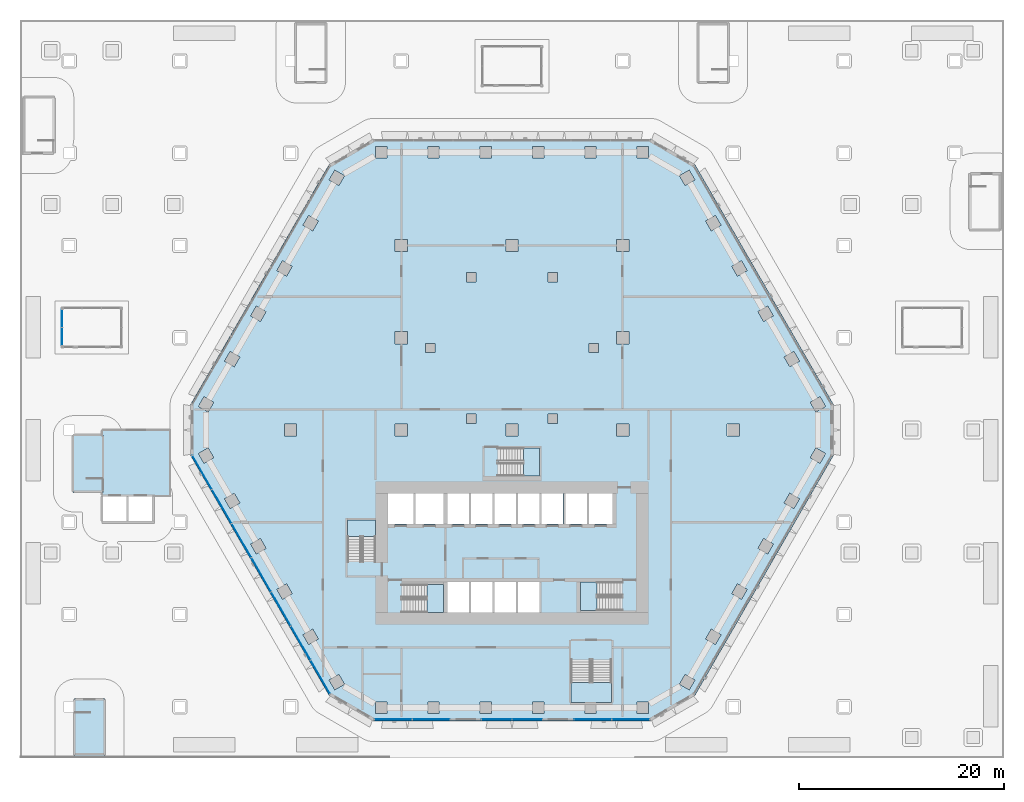
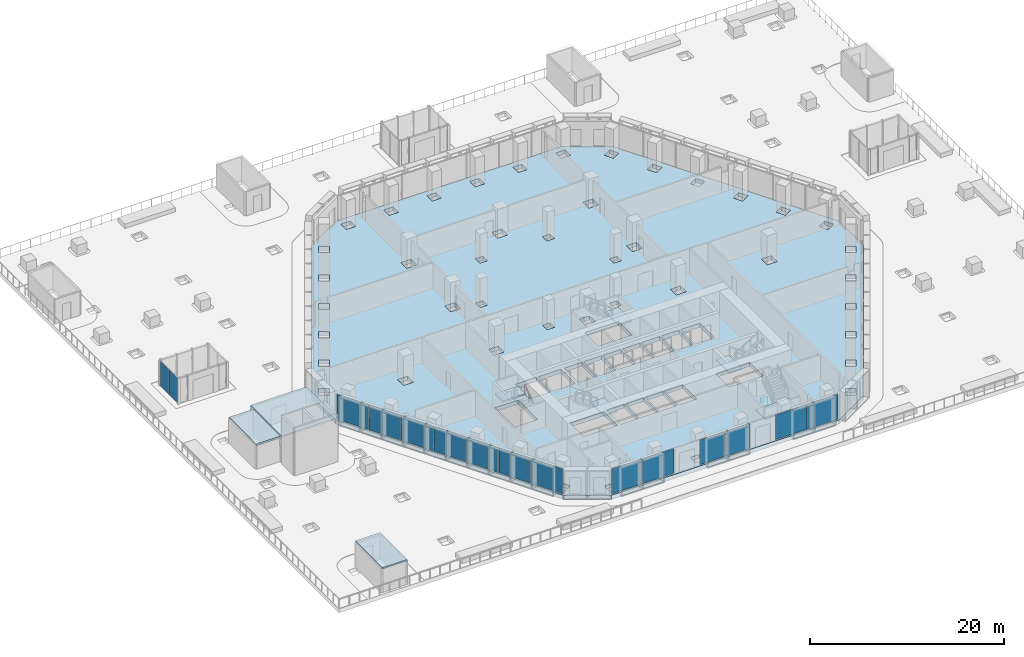
# One storey, part 16 of 38: 15 plates, 9 slabs, 10 elements without a shape of their own.
"""IFC4 building model written with IfcOpenShell, lengths in metres."""

from ifc_helpers import new_model, si_unit, direction, frame, origin, origin_2d, place, context, subcontext, project, spatial, polyline, rectangle, outline, extrude, material, layer, layer_set, type_object, element, aggregate, save


model = new_model("IFC4")

# Units and contexts
model_context = context("Model", 3, precision=1e-05, world=origin(), true_north=direction((0.0, 1.0)))
body_context = subcontext(model_context, "Body", "Model", "MODEL_VIEW")
ifc_project = project(units=[si_unit("LENGTHUNIT", "METRE"), si_unit("AREAUNIT", "SQUARE_METRE"), si_unit("VOLUMEUNIT", "CUBIC_METRE"), si_unit("PLANEANGLEUNIT", "RADIAN"), si_unit("MASSUNIT", "GRAM", prefix="KILO")], contexts=[model_context])

# Site, building, storey
site_placement = place(None, origin())
site = spatial("IfcSite", under=ifc_project, at=site_placement, CompositionType="ELEMENT")
building_placement = place(site_placement, origin())
building = spatial("IfcBuilding", under=site, at=building_placement, Name="Beryl Residences", CompositionType="ELEMENT")
storey_placement = place(building_placement, frame((0.0, 0.0, 9.0)))
storey = spatial("IfcBuildingStorey", under=building, at=storey_placement, Name="L02", CompositionType="ELEMENT", Elevation=9.0)

# Curtain wall, plates
ifc_material_1 = material(Name="Aluminium and clear glass", Category="aluminium")
curtain_wall_type_1 = type_object("IfcCurtainWallType", Name="CW2 amenity glazing glazed wall", PredefinedType="NOTDEFINED", material=ifc_material_1)
curtain_wall_1_placement = place(storey_placement, origin())
curtain_wall_1 = element("IfcCurtainWall", 1, at=curtain_wall_1_placement, inside=storey, type_object=curtain_wall_type_1, Name="CW2 L02 SW", PredefinedType="NOTDEFINED")
ifc_material_2 = material(Name="Clear laminated glass", Category="glass")
ifc_layer_1 = layer(ifc_material_2, 0.028076171875)
ifc_layer_set_1 = layer_set([ifc_layer_1], Name="CW2-P glazing panel 28 mm")
plate_type_1 = type_object("IfcPlateType", Name="CW2-P glazing panel 28 mm", PredefinedType="CURTAIN_PANEL", material=ifc_layer_set_1)
plate_1_placement = place(storey_placement, frame((-30.23046875, -4.139404296875, 0.06005859375), z_axis=(0.0, 0.0, 1.0), x_axis=(0.500011643322, -0.866018681405, 0.0)))
plate_1 = element("IfcPlate", 2, at=plate_1_placement, type_object=plate_type_1, Name="CW2 panel 1.1", PredefinedType="CURTAIN_PANEL", context=body_context, shape_type="SweptSolid", body=[
    extrude(rectangle(XDim=3.758544921875, YDim=0.028076171875, at=origin_2d()), origin(), (0.0, 0.0, 1.0), 3.1298828125),
])
plate_2_placement = place(storey_placement, frame((-28.3134765625, -7.459228515625, 0.06005859375), z_axis=(0.0, 0.0, 1.0), x_axis=(0.500011643322, -0.866018681405, 0.0)))
plate_2 = element("IfcPlate", 3, at=plate_2_placement, type_object=plate_type_1, Name="CW2 panel 2.1", PredefinedType="CURTAIN_PANEL", context=body_context, shape_type="SweptSolid", body=[
    extrude(rectangle(XDim=3.78857421875, YDim=0.028076171875, at=origin_2d()), origin(), (0.0, 0.0, 1.0), 3.1298828125),
])
plate_3_placement = place(storey_placement, frame((-26.389404296875, -10.792236328125, 0.06005859375), z_axis=(0.0, 0.0, 1.0), x_axis=(0.500011643322, -0.866018681405, 0.0)))
plate_3 = element("IfcPlate", 4, at=plate_3_placement, type_object=plate_type_1, Name="CW2 panel 3.1", PredefinedType="CURTAIN_PANEL", context=body_context, shape_type="SweptSolid", body=[
    extrude(rectangle(XDim=3.78857421875, YDim=0.028076171875, at=origin_2d()), origin(), (0.0, 0.0, 1.0), 3.1298828125),
])
plate_4_placement = place(storey_placement, frame((-24.465087890625, -14.125, 0.06005859375), z_axis=(0.0, 0.0, 1.0), x_axis=(0.500011643322, -0.866018681405, 0.0)))
plate_4 = element("IfcPlate", 5, at=plate_4_placement, type_object=plate_type_1, Name="CW2 panel 4.1", PredefinedType="CURTAIN_PANEL", context=body_context, shape_type="SweptSolid", body=[
    extrude(rectangle(XDim=3.78857421875, YDim=0.028076171875, at=origin_2d()), origin(), (0.0, 0.0, 1.0), 3.1298828125),
])
plate_5_placement = place(storey_placement, frame((-22.540771484375, -17.457763671875, 0.06005859375), z_axis=(0.0, 0.0, 1.0), x_axis=(0.500011643322, -0.866018681405, 0.0)))
plate_5 = element("IfcPlate", 6, at=plate_5_placement, type_object=plate_type_1, Name="CW2 panel 5.1", PredefinedType="CURTAIN_PANEL", context=body_context, shape_type="SweptSolid", body=[
    extrude(rectangle(XDim=3.78857421875, YDim=0.028076171875, at=origin_2d()), origin(), (0.0, 0.0, 1.0), 3.1298828125),
])
plate_6_placement = place(storey_placement, frame((-20.616455078125, -20.790771484375, 0.06005859375), z_axis=(0.0, 0.0, 1.0), x_axis=(0.500011643322, -0.866018681405, 0.0)))
plate_6 = element("IfcPlate", 7, at=plate_6_placement, type_object=plate_type_1, Name="CW2 panel 6.1", PredefinedType="CURTAIN_PANEL", context=body_context, shape_type="SweptSolid", body=[
    extrude(rectangle(XDim=3.78857421875, YDim=0.028076171875, at=origin_2d()), origin(), (0.0, 0.0, 1.0), 3.1298828125),
])
plate_7_placement = place(storey_placement, frame((-18.69970703125, -24.110595703125, 0.06005859375), z_axis=(0.0, 0.0, 1.0), x_axis=(0.500011643322, -0.866018681405, 0.0)))
plate_7 = element("IfcPlate", 8, at=plate_7_placement, type_object=plate_type_1, Name="CW2 panel 7.1", PredefinedType="CURTAIN_PANEL", context=body_context, shape_type="SweptSolid", body=[
    extrude(rectangle(XDim=3.758544921875, YDim=0.028076171875, at=origin_2d()), origin(), (0.0, 0.0, 1.0), 3.1298828125),
])
aggregate(curtain_wall_1, [plate_1, plate_2, plate_3, plate_4, plate_5, plate_6, plate_7])

curtain_wall_2_placement = place(storey_placement, origin())
curtain_wall_2 = element("IfcCurtainWall", 9, at=curtain_wall_2_placement, inside=storey, type_object=curtain_wall_type_1, Name="CW2 L02 S", PredefinedType="NOTDEFINED")
plate_8_placement = place(storey_placement, frame((-11.58740234375, -28.25, 0.06005859375), z_axis=(0.0, 0.0, 1.0), x_axis=(1.0, 0.0, 0.0)))
plate_8 = element("IfcPlate", 10, at=plate_8_placement, type_object=plate_type_1, Name="CW2 panel 1.1", PredefinedType="CURTAIN_PANEL", context=body_context, shape_type="SweptSolid", body=[
    extrude(rectangle(XDim=3.64501953125, YDim=0.028076171875, at=origin_2d()), origin(), (0.0, 0.0, 1.0), 3.1298828125),
])
plate_9_placement = place(storey_placement, frame((-7.882568359375, -28.25, 0.06005859375), z_axis=(0.0, 0.0, 1.0), x_axis=(1.0, 0.0, 0.0)))
plate_9 = element("IfcPlate", 11, at=plate_9_placement, type_object=plate_type_1, Name="CW2 panel 2.1", PredefinedType="CURTAIN_PANEL", context=body_context, shape_type="SweptSolid", body=[
    extrude(rectangle(XDim=3.64501953125, YDim=0.028076171875, at=origin_2d()), origin(), (0.0, 0.0, 1.0), 3.1298828125),
])
aggregate(curtain_wall_2, [plate_8, plate_9])

curtain_wall_3_placement = place(storey_placement, origin())
curtain_wall_3 = element("IfcCurtainWall", 12, at=curtain_wall_3_placement, inside=storey, type_object=curtain_wall_type_1, Name="CW2 L02 S", PredefinedType="NOTDEFINED")
plate_10_placement = place(storey_placement, frame((-1.485107421875, -28.25, 0.06005859375), z_axis=(0.0, 0.0, 1.0), x_axis=(1.0, 0.0, 0.0)))
plate_10 = element("IfcPlate", 13, at=plate_10_placement, type_object=plate_type_1, Name="CW2 panel 1.1", PredefinedType="CURTAIN_PANEL", context=body_context, shape_type="SweptSolid", body=[
    extrude(rectangle(XDim=2.909912109375, YDim=0.028076171875, at=origin_2d()), origin(), (0.0, 0.0, 1.0), 3.1298828125),
])
plate_11_placement = place(storey_placement, frame((1.485107421875, -28.25, 0.06005859375), z_axis=(0.0, 0.0, 1.0), x_axis=(1.0, 0.0, 0.0)))
plate_11 = element("IfcPlate", 14, at=plate_11_placement, type_object=plate_type_1, Name="CW2 panel 2.1", PredefinedType="CURTAIN_PANEL", context=body_context, shape_type="SweptSolid", body=[
    extrude(rectangle(XDim=2.909912109375, YDim=0.028076171875, at=origin_2d()), origin(), (0.0, 0.0, 1.0), 3.1298828125),
])
aggregate(curtain_wall_3, [plate_10, plate_11])

curtain_wall_4_placement = place(storey_placement, origin())
curtain_wall_4 = element("IfcCurtainWall", 15, at=curtain_wall_4_placement, inside=storey, type_object=curtain_wall_type_1, Name="CW2 L02 S", PredefinedType="NOTDEFINED")
plate_12_placement = place(storey_placement, frame((7.882568359375, -28.25, 0.06005859375), z_axis=(0.0, 0.0, 1.0), x_axis=(1.0, 0.0, 0.0)))
plate_12 = element("IfcPlate", 16, at=plate_12_placement, type_object=plate_type_1, Name="CW2 panel 1.1", PredefinedType="CURTAIN_PANEL", context=body_context, shape_type="SweptSolid", body=[
    extrude(rectangle(XDim=3.64501953125, YDim=0.028076171875, at=origin_2d()), origin(), (0.0, 0.0, 1.0), 3.1298828125),
])
plate_13_placement = place(storey_placement, frame((11.58740234375, -28.25, 0.06005859375), z_axis=(0.0, 0.0, 1.0), x_axis=(1.0, 0.0, 0.0)))
plate_13 = element("IfcPlate", 17, at=plate_13_placement, type_object=plate_type_1, Name="CW2 panel 2.1", PredefinedType="CURTAIN_PANEL", context=body_context, shape_type="SweptSolid", body=[
    extrude(rectangle(XDim=3.64501953125, YDim=0.028076171875, at=origin_2d()), origin(), (0.0, 0.0, 1.0), 3.1298828125),
])
aggregate(curtain_wall_4, [plate_12, plate_13])

ifc_material_3 = material(Name="Aluminium and clear glass", Category="aluminium")
curtain_wall_type_2 = type_object("IfcCurtainWallType", Name="CW6 garden pavilion glazing glazed wall", PredefinedType="NOTDEFINED", material=ifc_material_3)
curtain_wall_5_placement = place(storey_placement, origin())
curtain_wall_5 = element("IfcCurtainWall", 18, at=curtain_wall_5_placement, inside=storey, type_object=curtain_wall_type_2, Name="CW6 pavilion 1 w", PredefinedType="NOTDEFINED")
ifc_material_4 = material(Name="Clear laminated glass", Category="glass")
ifc_layer_2 = layer(ifc_material_4, 0.028076171875)
ifc_layer_set_2 = layer_set([ifc_layer_2], Name="CW6-P glazing panel 28 mm")
plate_type_2 = type_object("IfcPlateType", Name="CW6-P glazing panel 28 mm", PredefinedType="CURTAIN_PANEL", material=ifc_layer_set_2)
plate_14_placement = place(storey_placement, frame((-43.89990234375, 10.887451171875, 0.050048828125), z_axis=(0.0, 0.0, 1.0), x_axis=(0.0, -1.0, 0.0)))
plate_14 = element("IfcPlate", 19, at=plate_14_placement, type_object=plate_type_2, Name="CW6 panel 1.1", PredefinedType="CURTAIN_PANEL", context=body_context, shape_type="SweptSolid", body=[
    extrude(rectangle(XDim=1.72509765625, YDim=0.028076171875, at=origin_2d()), origin(), (0.0, 0.0, 1.0), 3.10009765625),
])
plate_15_placement = place(storey_placement, frame((-43.89990234375, 9.112548828125, 0.050048828125), z_axis=(0.0, 0.0, 1.0), x_axis=(0.0, -1.0, 0.0)))
plate_15 = element("IfcPlate", 20, at=plate_15_placement, type_object=plate_type_2, Name="CW6 panel 2.1", PredefinedType="CURTAIN_PANEL", context=body_context, shape_type="SweptSolid", body=[
    extrude(rectangle(XDim=1.72509765625, YDim=0.028076171875, at=origin_2d()), origin(), (0.0, 0.0, 1.0), 3.10009765625),
])
aggregate(curtain_wall_5, [plate_14, plate_15])

# Slab
ifc_material_5 = material(Name="Concrete C40/50", Category="concrete")
ifc_layer_3 = layer(ifc_material_5, 0.5)
ifc_layer_set_3 = layer_set([ifc_layer_3], Name="SL3 podium floor slab 500 mm C40/50")
slab_type_1 = type_object("IfcSlabType", Name="SL3 podium floor slab 500 mm C40/50", PredefinedType="FLOOR", material=ifc_layer_set_3)
slab_1_placement = place(storey_placement, frame((0.0, 0.0, -0.5)))
element("IfcSlab", 21, at=slab_1_placement, inside=storey, type_object=slab_type_1, Name="L02 slab 1", PredefinedType="FLOOR", context=body_context, shape_type="SweptSolid", body=[
    extrude(outline(polyline([(31.35009765625, 2.5), (31.35009765625, -2.5), (17.840087890625, -25.89990234375), (13.510009765625, -28.39990234375), (-13.510009765625, -28.39990234375), (-17.840087890625, -25.89990234375), (-31.35009765625, -2.5), (-31.35009765625, 2.5), (-17.840087890625, 25.89990234375), (-13.510009765625, 28.39990234375), (13.510009765625, 28.39990234375), (17.840087890625, 25.89990234375), (31.35009765625, 2.5)]), holes=[polyline([(29.097900390625, -2.699951171875), (30.050048828125, -3.25), (30.60009765625, -2.298095703125), (29.64794921875, -1.748046875), (29.097900390625, -2.699951171875)]), polyline([(29.096923828125, 2.700927734375), (29.64697265625, 1.7490234375), (30.59912109375, 2.299072265625), (30.049072265625, 3.2509765625), (29.096923828125, 2.700927734375)]), polyline([(27.096923828125, -6.16796875), (26.547119140625, -7.1201171875), (27.4990234375, -7.669921875), (28.049072265625, -6.718017578125), (27.096923828125, -6.16796875)]), polyline([(28.048095703125, 6.719970703125), (27.498046875, 7.672119140625), (26.5458984375, 7.1220703125), (27.095947265625, 6.169921875), (28.048095703125, 6.719970703125)]), polyline([(23.9951171875, -11.5400390625), (24.947021484375, -12.090087890625), (25.4970703125, -11.137939453125), (24.544921875, -10.587890625), (23.9951171875, -11.5400390625)]), polyline([(23.993896484375, 11.5419921875), (24.5439453125, 10.590087890625), (25.49609375, 11.139892578125), (24.946044921875, 12.092041015625), (23.993896484375, 11.5419921875)]), polyline([(22.39501953125, -16.510009765625), (22.945068359375, -15.55810546875), (21.992919921875, -15.008056640625), (21.443115234375, -15.9599609375), (22.39501953125, -16.510009765625)]), polyline([(21.991943359375, 15.010009765625), (22.944091796875, 15.56005859375), (22.39404296875, 16.511962890625), (21.44189453125, 15.9619140625), (21.991943359375, 15.010009765625)]), polyline([(22.199951171875, 0.60009765625), (21.0, 0.60009765625), (21.0, -0.60009765625), (22.199951171875, -0.60009765625), (22.199951171875, 0.60009765625)]), polyline([(19.44091796875, -19.428955078125), (18.89111328125, -20.381103515625), (19.843017578125, -20.930908203125), (20.39306640625, -19.97900390625), (19.44091796875, -19.428955078125)]), polyline([(19.43994140625, 19.429931640625), (20.39208984375, 19.97998046875), (19.842041015625, 20.931884765625), (18.889892578125, 20.382080078125), (19.43994140625, 19.429931640625)]), polyline([(16.888916015625, -23.84912109375), (16.339111328125, -24.801025390625), (17.291015625, -25.35107421875), (17.841064453125, -24.39892578125), (16.888916015625, -23.84912109375)]), polyline([(16.337890625, 24.802001953125), (16.887939453125, 23.85009765625), (17.840087890625, 24.39990234375), (17.2900390625, 25.35205078125), (16.337890625, 24.802001953125)]), polyline([(13.31103515625, -26.550048828125), (12.2109375, -26.550048828125), (12.2109375, -27.64990234375), (13.31103515625, -27.64990234375), (13.31103515625, -26.550048828125)]), polyline([(12.208984375, 26.550048828125), (13.30908203125, 26.550048828125), (13.30908203125, 27.64990234375), (12.208984375, 27.64990234375), (12.208984375, 26.550048828125)]), polyline([(10.199951171875, 17.39990234375), (11.39990234375, 17.39990234375), (11.39990234375, 18.60009765625), (10.199951171875, 18.60009765625), (10.199951171875, 17.39990234375)]), polyline([(10.199951171875, 0.60009765625), (10.199951171875, -0.60009765625), (11.39990234375, -0.60009765625), (11.39990234375, 0.60009765625), (10.199951171875, 0.60009765625)]), polyline([(10.199951171875, 9.60009765625), (10.199951171875, 8.39990234375), (11.39990234375, 8.39990234375), (11.39990234375, 9.60009765625), (10.199951171875, 9.60009765625)]), polyline([(6.699951171875, -17.60009765625), (10.699951171875, -17.60009765625), (10.699951171875, -14.85009765625), (6.699951171875, -14.85009765625), (6.699951171875, -17.60009765625)]), polyline([(7.5, -9.14990234375), (9.800048828125, -9.14990234375), (9.800048828125, -6.199951171875), (7.5, -6.199951171875), (7.5, -9.14990234375)]), polyline([(8.4169921875, 8.449951171875), (7.51708984375, 8.449951171875), (7.51708984375, 7.550048828125), (8.4169921875, 7.550048828125), (8.4169921875, 8.449951171875)]), polyline([(8.20703125, -26.550048828125), (7.10693359375, -26.550048828125), (7.10693359375, -27.64990234375), (8.20703125, -27.64990234375), (8.20703125, -26.550048828125)]), polyline([(8.205078125, 26.550048828125), (8.205078125, 27.64990234375), (7.10498046875, 27.64990234375), (7.10498046875, 26.550048828125), (8.205078125, 26.550048828125)]), polyline([(7.300048828125, -9.14990234375), (7.300048828125, -6.199951171875), (5.199951171875, -6.199951171875), (5.199951171875, -9.14990234375), (7.300048828125, -9.14990234375)]), polyline([(5.0, -9.14990234375), (5.0, -6.199951171875), (2.89990234375, -6.199951171875), (2.89990234375, -9.14990234375), (5.0, -9.14990234375)]), polyline([(4.43408203125, 15.35009765625), (3.533935546875, 15.35009765625), (3.533935546875, 14.449951171875), (4.43408203125, 14.449951171875), (4.43408203125, 15.35009765625)]), polyline([(4.43408203125, 1.550048828125), (3.533935546875, 1.550048828125), (3.533935546875, 0.64990234375), (4.43408203125, 0.64990234375), (4.43408203125, 1.550048828125)]), polyline([(2.0029296875, -26.550048828125), (2.0029296875, -27.64990234375), (3.10302734375, -27.64990234375), (3.10302734375, -26.550048828125), (2.0029296875, -26.550048828125)]), polyline([(2.0009765625, 26.550048828125), (3.10107421875, 26.550048828125), (3.10107421875, 27.64990234375), (2.0009765625, 27.64990234375), (2.0009765625, 26.550048828125)]), polyline([(2.699951171875, -1.75), (-1.300048828125, -1.75), (-1.300048828125, -4.5), (2.699951171875, -4.5), (2.699951171875, -1.75)]), polyline([(2.699951171875, -9.14990234375), (2.699951171875, -6.199951171875), (0.60009765625, -6.199951171875), (0.60009765625, -9.14990234375), (2.699951171875, -9.14990234375)]), polyline([(2.699951171875, -14.85009765625), (0.60009765625, -14.85009765625), (0.60009765625, -17.800048828125), (2.699951171875, -17.800048828125), (2.699951171875, -14.85009765625)]), polyline([(0.60009765625, 18.60009765625), (-0.60009765625, 18.60009765625), (-0.60009765625, 17.39990234375), (0.60009765625, 17.39990234375), (0.60009765625, 18.60009765625)]), polyline([(0.60009765625, 0.60009765625), (-0.60009765625, 0.60009765625), (-0.60009765625, -0.60009765625), (0.60009765625, -0.60009765625), (0.60009765625, 0.60009765625)]), polyline([(0.39990234375, -9.14990234375), (0.39990234375, -6.199951171875), (-1.699951171875, -6.199951171875), (-1.699951171875, -9.14990234375), (0.39990234375, -9.14990234375)]), polyline([(0.39990234375, -17.800048828125), (0.39990234375, -14.85009765625), (-1.699951171875, -14.85009765625), (-1.699951171875, -17.800048828125), (0.39990234375, -17.800048828125)]), polyline([(-1.89990234375, -9.14990234375), (-1.89990234375, -6.199951171875), (-4.0, -6.199951171875), (-4.0, -9.14990234375), (-1.89990234375, -9.14990234375)]), polyline([(-1.89990234375, -14.85009765625), (-4.0, -14.85009765625), (-4.0, -17.800048828125), (-1.89990234375, -17.800048828125), (-1.89990234375, -14.85009765625)]), polyline([(-3.10107421875, -26.550048828125), (-3.10107421875, -27.64990234375), (-2.0009765625, -27.64990234375), (-2.0009765625, -26.550048828125), (-3.10107421875, -26.550048828125)]), polyline([(-3.10302734375, 26.550048828125), (-2.0029296875, 26.550048828125), (-2.0029296875, 27.64990234375), (-3.10302734375, 27.64990234375), (-3.10302734375, 26.550048828125)]), polyline([(-4.43408203125, 15.35009765625), (-4.43408203125, 14.449951171875), (-3.533935546875, 14.449951171875), (-3.533935546875, 15.35009765625), (-4.43408203125, 15.35009765625)]), polyline([(-4.43408203125, 1.550048828125), (-4.43408203125, 0.64990234375), (-3.533935546875, 0.64990234375), (-3.533935546875, 1.550048828125), (-4.43408203125, 1.550048828125)]), polyline([(-4.199951171875, -17.800048828125), (-4.199951171875, -14.85009765625), (-6.300048828125, -14.85009765625), (-6.300048828125, -17.800048828125), (-4.199951171875, -17.800048828125)]), polyline([(-4.199951171875, -9.14990234375), (-4.199951171875, -6.199951171875), (-6.300048828125, -6.199951171875), (-6.300048828125, -9.14990234375), (-4.199951171875, -9.14990234375)]), polyline([(-6.699951171875, -9.14990234375), (-6.699951171875, -6.199951171875), (-9.39990234375, -6.199951171875), (-9.39990234375, -9.14990234375), (-6.699951171875, -9.14990234375)]), polyline([(-6.699951171875, -15.050048828125), (-10.699951171875, -15.050048828125), (-10.699951171875, -17.800048828125), (-6.699951171875, -17.800048828125), (-6.699951171875, -15.050048828125)]), polyline([(-8.205078125, -26.550048828125), (-8.205078125, -27.64990234375), (-7.10498046875, -27.64990234375), (-7.10498046875, -26.550048828125), (-8.205078125, -26.550048828125)]), polyline([(-7.10693359375, 26.550048828125), (-7.10693359375, 27.64990234375), (-8.20703125, 27.64990234375), (-8.20703125, 26.550048828125), (-7.10693359375, 26.550048828125)]), polyline([(-7.51708984375, 8.449951171875), (-8.4169921875, 8.449951171875), (-8.4169921875, 7.550048828125), (-7.51708984375, 7.550048828125), (-7.51708984375, 8.449951171875)]), polyline([(-9.60009765625, -9.14990234375), (-9.60009765625, -6.199951171875), (-12.10009765625, -6.199951171875), (-12.10009765625, -9.14990234375), (-9.60009765625, -9.14990234375)]), polyline([(-10.199951171875, 0.60009765625), (-11.39990234375, 0.60009765625), (-11.39990234375, -0.60009765625), (-10.199951171875, -0.60009765625), (-10.199951171875, 0.60009765625)]), polyline([(-11.39990234375, 9.60009765625), (-11.39990234375, 8.39990234375), (-10.199951171875, 8.39990234375), (-10.199951171875, 9.60009765625), (-11.39990234375, 9.60009765625)]), polyline([(-11.39990234375, 18.60009765625), (-11.39990234375, 17.39990234375), (-10.199951171875, 17.39990234375), (-10.199951171875, 18.60009765625), (-11.39990234375, 18.60009765625)]), polyline([(-13.30908203125, -26.550048828125), (-13.30908203125, -27.64990234375), (-12.208984375, -27.64990234375), (-12.208984375, -26.550048828125), (-13.30908203125, -26.550048828125)]), polyline([(-12.2109375, 26.550048828125), (-12.2109375, 27.64990234375), (-13.31103515625, 27.64990234375), (-13.31103515625, 26.550048828125), (-12.2109375, 26.550048828125)]), polyline([(-16.050048828125, -8.800048828125), (-16.050048828125, -12.800048828125), (-13.300048828125, -12.800048828125), (-13.300048828125, -8.800048828125), (-16.050048828125, -8.800048828125)]), polyline([(-16.337890625, -24.802001953125), (-16.887939453125, -23.85009765625), (-17.840087890625, -24.39990234375), (-17.2900390625, -25.35205078125), (-16.337890625, -24.802001953125)]), polyline([(-16.339111328125, 24.801025390625), (-17.291015625, 25.35107421875), (-17.841064453125, 24.39892578125), (-16.888916015625, 23.84912109375), (-16.339111328125, 24.801025390625)]), polyline([(-18.889892578125, -20.382080078125), (-19.43994140625, -19.429931640625), (-20.39208984375, -19.97998046875), (-19.842041015625, -20.931884765625), (-18.889892578125, -20.382080078125)]), polyline([(-19.843017578125, 20.930908203125), (-20.39306640625, 19.97900390625), (-19.44091796875, 19.428955078125), (-18.89111328125, 20.381103515625), (-19.843017578125, 20.930908203125)]), polyline([(-22.199951171875, 0.60009765625), (-22.199951171875, -0.60009765625), (-21.0, -0.60009765625), (-21.0, 0.60009765625), (-22.199951171875, 0.60009765625)]), polyline([(-21.991943359375, -15.010009765625), (-22.944091796875, -15.56005859375), (-22.39404296875, -16.511962890625), (-21.44189453125, -15.9619140625), (-21.991943359375, -15.010009765625)]), polyline([(-21.443115234375, 15.9599609375), (-22.39501953125, 16.510009765625), (-22.945068359375, 15.55810546875), (-21.992919921875, 15.008056640625), (-21.443115234375, 15.9599609375)]), polyline([(-25.49609375, -11.139892578125), (-24.946044921875, -12.092041015625), (-23.993896484375, -11.5419921875), (-24.5439453125, -10.590087890625), (-25.49609375, -11.139892578125)]), polyline([(-23.9951171875, 11.5400390625), (-24.947021484375, 12.090087890625), (-25.4970703125, 11.137939453125), (-24.544921875, 10.587890625), (-23.9951171875, 11.5400390625)]), polyline([(-27.095947265625, -6.169921875), (-28.048095703125, -6.719970703125), (-27.498046875, -7.672119140625), (-26.5458984375, -7.1220703125), (-27.095947265625, -6.169921875)]), polyline([(-26.547119140625, 7.1201171875), (-27.4990234375, 7.669921875), (-28.049072265625, 6.718017578125), (-27.096923828125, 6.16796875), (-26.547119140625, 7.1201171875)]), polyline([(-30.59912109375, -2.299072265625), (-30.049072265625, -3.2509765625), (-29.096923828125, -2.700927734375), (-29.64697265625, -1.7490234375), (-30.59912109375, -2.299072265625)]), polyline([(-29.64794921875, 1.748046875), (-29.097900390625, 2.699951171875), (-30.050048828125, 3.25), (-30.60009765625, 2.298095703125), (-29.64794921875, 1.748046875)])]), origin(), (0.0, 0.0, 1.0), 0.5),
])

# Stair, slab
ifc_material_6 = material(Name="Concrete C40/50", Category="concrete")
stair_type = type_object("IfcStairType", Name="ST1 protected exit stair, half-turn, 1300 mm flights", PredefinedType="HALF_TURN_STAIR", material=ifc_material_6)
stair_1_placement = place(storey_placement, origin())
stair_1 = element("IfcStair", 22, at=stair_1_placement, inside=storey, type_object=stair_type, Name="L02 Podium exit stair 7", PredefinedType="HALF_TURN_STAIR")
ifc_material_7 = material(Name="Concrete C40/50", Category="concrete")
ifc_layer_4 = layer(ifc_material_7, 0.199951171875)
ifc_layer_set_4 = layer_set([ifc_layer_4], Name="SLD1 stair landing 200 mm")
slab_type_2 = type_object("IfcSlabType", Name="SLD1 stair landing 200 mm", PredefinedType="LANDING", material=ifc_layer_set_4)
slab_2_placement = place(storey_placement, frame((0.0, 0.0, 1.60009765625)))
slab_2 = element("IfcSlab", 23, at=slab_2_placement, type_object=slab_type_2, Name="PS-7 landing 1", PredefinedType="LANDING", context=body_context, shape_type="SweptSolid", body=[
    extrude(outline(polyline([(5.75, -24.64990234375), (5.75, -26.60009765625), (9.699951171875, -26.60009765625), (9.699951171875, -24.64990234375), (5.75, -24.64990234375)])), origin(), (0.0, 0.0, 1.0), 0.199951171875),
])
aggregate(stair_1, [slab_2])

stair_2_placement = place(storey_placement, origin())
stair_2 = element("IfcStair", 24, at=stair_2_placement, inside=storey, type_object=stair_type, Name="L02 PROTECTED EXIT STAIR ST-1", PredefinedType="HALF_TURN_STAIR")
slab_3_placement = place(storey_placement, frame((0.0, 0.0, 1.60009765625)))
slab_3 = element("IfcSlab", 25, at=slab_3_placement, type_object=slab_type_2, Name="ST-1 landing 1", PredefinedType="LANDING", context=body_context, shape_type="SweptSolid", body=[
    extrude(outline(polyline([(-8.280029296875, -17.800048828125), (-6.699951171875, -17.800048828125), (-6.699951171875, -15.050048828125), (-8.280029296875, -15.050048828125), (-8.280029296875, -17.800048828125)])), origin(), (0.0, 0.0, 1.0), 0.199951171875),
])
aggregate(stair_2, [slab_3])

stair_3_placement = place(storey_placement, origin())
stair_3 = element("IfcStair", 26, at=stair_3_placement, inside=storey, type_object=stair_type, Name="L02 PROTECTED EXIT STAIR ST-2", PredefinedType="HALF_TURN_STAIR")
slab_4_placement = place(storey_placement, frame((0.0, 0.0, 1.60009765625)))
slab_4 = element("IfcSlab", 27, at=slab_4_placement, type_object=slab_type_2, Name="ST-2 landing 1", PredefinedType="LANDING", context=body_context, shape_type="SweptSolid", body=[
    extrude(outline(polyline([(-13.300048828125, -10.3798828125), (-13.300048828125, -8.800048828125), (-16.050048828125, -8.800048828125), (-16.050048828125, -10.3798828125), (-13.300048828125, -10.3798828125)])), origin(), (0.0, 0.0, 1.0), 0.199951171875),
])
aggregate(stair_3, [slab_4])

stair_4_placement = place(storey_placement, origin())
stair_4 = element("IfcStair", 28, at=stair_4_placement, inside=storey, type_object=stair_type, Name="L02 PROTECTED EXIT STAIR ST-3", PredefinedType="HALF_TURN_STAIR")
slab_5_placement = place(storey_placement, frame((0.0, 0.0, 1.60009765625)))
slab_5 = element("IfcSlab", 29, at=slab_5_placement, type_object=slab_type_2, Name="ST-3 landing 1", PredefinedType="LANDING", context=body_context, shape_type="SweptSolid", body=[
    extrude(outline(polyline([(8.280029296875, -14.85009765625), (6.699951171875, -14.85009765625), (6.699951171875, -17.60009765625), (8.280029296875, -17.60009765625), (8.280029296875, -14.85009765625)])), origin(), (0.0, 0.0, 1.0), 0.199951171875),
])
aggregate(stair_4, [slab_5])

stair_5_placement = place(storey_placement, origin())
stair_5 = element("IfcStair", 30, at=stair_5_placement, inside=storey, type_object=stair_type, Name="L02 PROTECTED EXIT STAIR ST-4", PredefinedType="HALF_TURN_STAIR")
slab_6_placement = place(storey_placement, frame((0.0, 0.0, 1.60009765625)))
slab_6 = element("IfcSlab", 31, at=slab_6_placement, type_object=slab_type_2, Name="ST-4 landing 1", PredefinedType="LANDING", context=body_context, shape_type="SweptSolid", body=[
    extrude(outline(polyline([(1.1201171875, -4.5), (2.699951171875, -4.5), (2.699951171875, -1.75), (1.1201171875, -1.75), (1.1201171875, -4.5)])), origin(), (0.0, 0.0, 1.0), 0.199951171875),
])
aggregate(stair_5, [slab_6])

# Slabs
ifc_material_8 = material(Name="Concrete C40/50", Category="concrete")
ifc_layer_5 = layer(ifc_material_8, 0.199951171875)
ifc_layer_set_5 = layer_set([ifc_layer_5], Name="SX1 roof slab 200 mm Concrete C40/50")
slab_type_3 = type_object("IfcSlabType", Name="SX1 roof slab 200 mm Concrete C40/50", PredefinedType="ROOF", material=ifc_layer_set_5)
slab_7_placement = place(storey_placement, frame((0.0, 0.0, 3.199951171875)))
element("IfcSlab", 32, at=slab_7_placement, inside=storey, type_object=slab_type_3, Name="Slab SX1 L02 001", PredefinedType="ROOF", context=body_context, shape_type="SweptSolid", body=[
    extrude(outline(polyline([(-33.39990234375, -6.39990234375), (-33.39990234375, 0.0), (-40.0, 0.0), (-40.0, -6.39990234375), (-33.39990234375, -6.39990234375)])), origin(), (0.0, 0.0, 1.0), 0.199951171875),
])
ifc_material_9 = material(Name="Concrete C40/50", Category="concrete")
ifc_layer_6 = layer(ifc_material_9, 0.199951171875)
ifc_layer_set_6 = layer_set([ifc_layer_6], Name="SX2 roof slab 200 mm Concrete C40/50")
slab_type_4 = type_object("IfcSlabType", Name="SX2 roof slab 200 mm Concrete C40/50", PredefinedType="ROOF", material=ifc_layer_set_6)
slab_8_placement = place(storey_placement, frame((0.0, 0.0, 3.0)))
element("IfcSlab", 33, at=slab_8_placement, inside=storey, type_object=slab_type_4, Name="Slab SX2 L02 004", PredefinedType="ROOF", context=body_context, shape_type="SweptSolid", body=[
    extrude(outline(polyline([(-39.75, -31.800048828125), (-39.75, -26.199951171875), (-42.699951171875, -26.199951171875), (-42.699951171875, -31.800048828125), (-39.75, -31.800048828125)])), origin(), (0.0, 0.0, 1.0), 0.199951171875),
])
slab_9_placement = place(storey_placement, frame((0.0, 0.0, 3.0)))
element("IfcSlab", 34, at=slab_9_placement, inside=storey, type_object=slab_type_4, Name="Slab SX2 L02 006", PredefinedType="ROOF", context=body_context, shape_type="SweptSolid", body=[
    extrude(outline(polyline([(-39.89990234375, -6.10009765625), (-39.89990234375, -0.5), (-42.85009765625, -0.5), (-42.85009765625, -6.10009765625), (-39.89990234375, -6.10009765625)])), origin(), (0.0, 0.0, 1.0), 0.199951171875),
])

save(model, "model.ifc")
